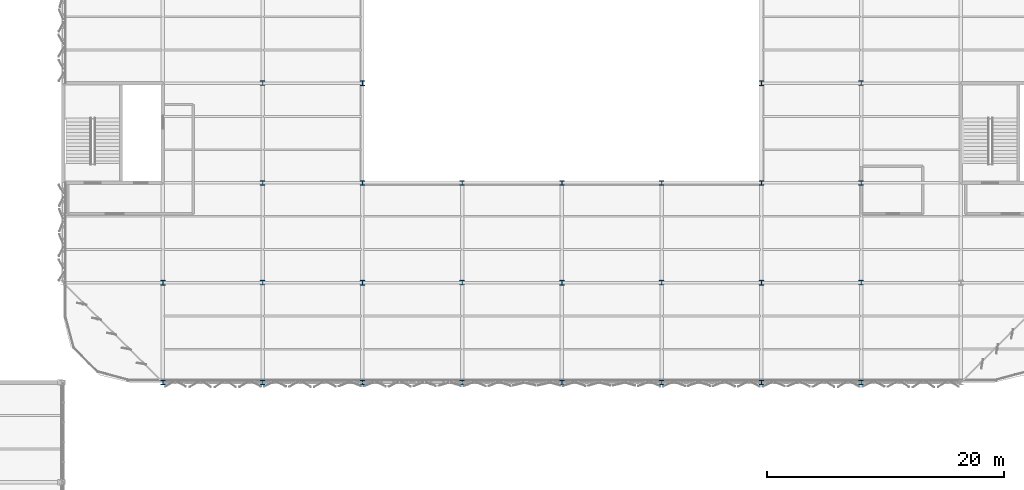
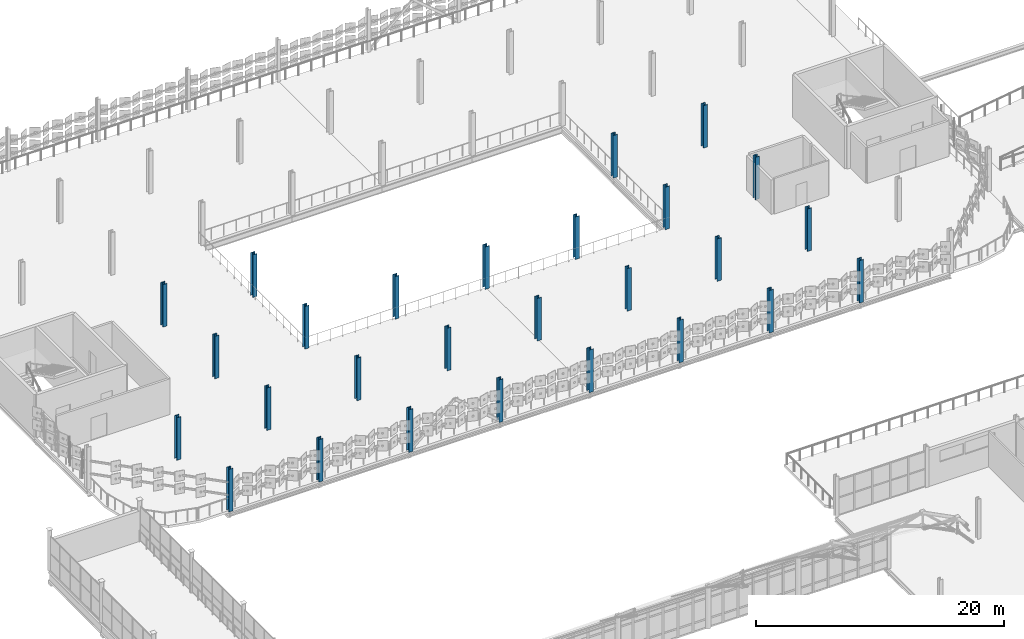
# One storey, part 12 of 184: 27 columns.
"""IFC4 building model written with IfcOpenShell, lengths in metres."""

from ifc_helpers import new_model, si_unit, direction, frame, origin, origin_2d, place, context, subcontext, project, spatial, i_section, extrude, material, material_profile, profile_set, type_object, element, save


model = new_model("IFC4")

# Units and contexts
model_context = context("Model", 3, precision=1e-05, world=origin(), true_north=direction((0.0, 1.0)))
body_context = subcontext(model_context, "Body", "Model", "MODEL_VIEW")
ifc_project = project(units=[si_unit("LENGTHUNIT", "METRE"), si_unit("AREAUNIT", "SQUARE_METRE"), si_unit("VOLUMEUNIT", "CUBIC_METRE"), si_unit("PLANEANGLEUNIT", "RADIAN"), si_unit("MASSUNIT", "GRAM", prefix="KILO")], contexts=[model_context])

# Site, building, storey
site_placement = place(None, origin())
site = spatial("IfcSite", under=ifc_project, at=site_placement, CompositionType="ELEMENT")
building_placement = place(site_placement, origin())
building = spatial("IfcBuilding", under=site, at=building_placement, Name="Qalvenar Corner Mobility Hub", CompositionType="ELEMENT")
storey_placement = place(building_placement, frame((0.0, 0.0, 9.0)))
storey = spatial("IfcBuildingStorey", under=building, at=storey_placement, Name="L02", CompositionType="ELEMENT", Elevation=9.0)

# Columns
ifc_material = material(Name="Steel S355", Category="steel")
ifc_material_profile_1 = material_profile(ifc_material, i_section(OverallWidth=0.376953125, OverallDepth=0.386962890625, WebThickness=0.0224609375, FlangeThickness=0.035888671875, FilletRadius=0.014892578125, at=origin_2d()), Name="HD360x262")
ifc_profile_set_1 = profile_set([ifc_material_profile_1], Name="Steel S355")
column_type_1 = type_object("IfcColumnType", Name="COL-HD360X262", PredefinedType="COLUMN", material=ifc_profile_set_1)
for number, where, z_axis, x_axis, name in (
    (1, (75.60009765625, 67.199951171875, 0.0), (0.0, 0.0, 1.0), (1.0, 0.0, 0.0), "Steel Column L02-G10-8"),
    (2, (75.60009765625, 75.60009765625, 0.0), (0.0, 0.0, 1.0), (1.0, 0.0, 0.0), "Steel Column L02-G10-9"),
    (3, (75.60009765625, 84.0, 0.0), (0.0, 0.0, 1.0), (1.0, 0.0, 0.0), "Steel Column L02-G10-10"),
    (4, (75.60009765625, 92.39990234375, 0.0), (0.0, 0.0, 1.0), (1.0, 0.0, 0.0), "Steel Column L02-G10-11"),
    (5, (92.39990234375, 67.199951171875, 0.0), (0.0, 0.0, 1.0), (1.0, 0.0, 0.0), "Steel Column L02-G12-8"),
    (6, (92.39990234375, 75.60009765625, 0.0), (0.0, 0.0, 1.0), (1.0, 0.0, 0.0), "Steel Column L02-G12-9"),
    (7, (92.39990234375, 84.0, 0.0), (0.0, 0.0, 1.0), (1.0, 0.0, 0.0), "Steel Column L02-G12-10"),
    (8, (109.199951171875, 67.199951171875, 0.0), (0.0, 0.0, 1.0), (1.0, 0.0, 0.0), "Steel Column L02-G14-8"),
    (9, (109.199951171875, 75.60009765625, 0.0), (0.0, 0.0, 1.0), (1.0, 0.0, 0.0), "Steel Column L02-G14-9"),
    (10, (109.199951171875, 84.0, 0.0), (0.0, 0.0, 1.0), (1.0, 0.0, 0.0), "Steel Column L02-G14-10"),
    (11, (126.0, 67.199951171875, 0.0), (0.0, 0.0, 1.0), (1.0, 0.0, 0.0), "Steel Column L02-G16-8"),
    (12, (126.0, 75.60009765625, 0.0), (0.0, 0.0, 1.0), (1.0, 0.0, 0.0), "Steel Column L02-G16-9"),
    (13, (126.0, 84.0, 0.0), (0.0, 0.0, 1.0), (1.0, 0.0, 0.0), "Steel Column L02-G16-10"),
    (14, (126.0, 92.39990234375, 0.0), (0.0, 0.0, 1.0), (1.0, 0.0, 0.0), "Steel Column L02-G16-11"),
):
    element("IfcColumn", number, at=place(storey_placement, frame(where, z_axis=z_axis, x_axis=x_axis)), inside=storey, type_object=column_type_1, Name=name, PredefinedType="COLUMN", context=body_context, shape_type="SweptSolid", body=[
        extrude(i_section(OverallWidth=0.376953125, OverallDepth=0.386962890625, WebThickness=0.0224609375, FlangeThickness=0.035888671875, FilletRadius=0.014892578125, at=origin_2d()), origin(), (0.0, 0.0, 1.0), 4.199951171875),
    ])
ifc_material_profile_2 = material_profile(ifc_material, i_section(OverallWidth=0.40087890625, OverallDepth=0.39892578125, WebThickness=0.02490234375, FlangeThickness=0.03955078125, FilletRadius=0.014892578125, at=origin_2d()), Name="HD400x314")
ifc_profile_set_2 = profile_set([ifc_material_profile_2], Name="Steel S355")
column_type_2 = type_object("IfcColumnType", Name="COL-HD400X314", PredefinedType="COLUMN", material=ifc_profile_set_2)
for number, where, z_axis, x_axis, name in (
    (15, (67.199951171875, 67.199951171875, 0.0), (0.0, 0.0, 1.0), (1.0, 0.0, 0.0), "Steel Column L02-G9-8"),
    (16, (67.199951171875, 75.60009765625, 0.0), (0.0, 0.0, 1.0), (1.0, 0.0, 0.0), "Steel Column L02-G9-9"),
    (17, (84.0, 67.199951171875, 0.0), (0.0, 0.0, 1.0), (1.0, 0.0, 0.0), "Steel Column L02-G11-8"),
    (18, (84.0, 75.60009765625, 0.0), (0.0, 0.0, 1.0), (1.0, 0.0, 0.0), "Steel Column L02-G11-9"),
    (19, (84.0, 84.0, 0.0), (0.0, 0.0, 1.0), (1.0, 0.0, 0.0), "Steel Column L02-G11-10"),
    (20, (84.0, 92.39990234375, 0.0), (0.0, 0.0, 1.0), (1.0, 0.0, 0.0), "Steel Column L02-G11-11"),
    (21, (100.800048828125, 67.199951171875, 0.0), (0.0, 0.0, 1.0), (1.0, 0.0, 0.0), "Steel Column L02-G13-8"),
    (22, (100.800048828125, 75.60009765625, 0.0), (0.0, 0.0, 1.0), (1.0, 0.0, 0.0), "Steel Column L02-G13-9"),
    (23, (100.800048828125, 84.0, 0.0), (0.0, 0.0, 1.0), (1.0, 0.0, 0.0), "Steel Column L02-G13-10"),
    (24, (117.60009765625, 67.199951171875, 0.0), (0.0, 0.0, 1.0), (1.0, 0.0, 0.0), "Steel Column L02-G15-8"),
    (25, (117.60009765625, 75.60009765625, 0.0), (0.0, 0.0, 1.0), (1.0, 0.0, 0.0), "Steel Column L02-G15-9"),
    (26, (117.60009765625, 84.0, 0.0), (0.0, 0.0, 1.0), (1.0, 0.0, 0.0), "Steel Column L02-G15-10"),
    (27, (117.60009765625, 92.39990234375, 0.0), (0.0, 0.0, 1.0), (1.0, 0.0, 0.0), "Steel Column L02-G15-11"),
):
    element("IfcColumn", number, at=place(storey_placement, frame(where, z_axis=z_axis, x_axis=x_axis)), inside=storey, type_object=column_type_2, Name=name, PredefinedType="COLUMN", context=body_context, shape_type="SweptSolid", body=[
        extrude(i_section(OverallWidth=0.40087890625, OverallDepth=0.39892578125, WebThickness=0.02490234375, FlangeThickness=0.03955078125, FilletRadius=0.014892578125, at=origin_2d()), origin(), (0.0, 0.0, 1.0), 4.199951171875),
    ])

save(model, "model.ifc")
